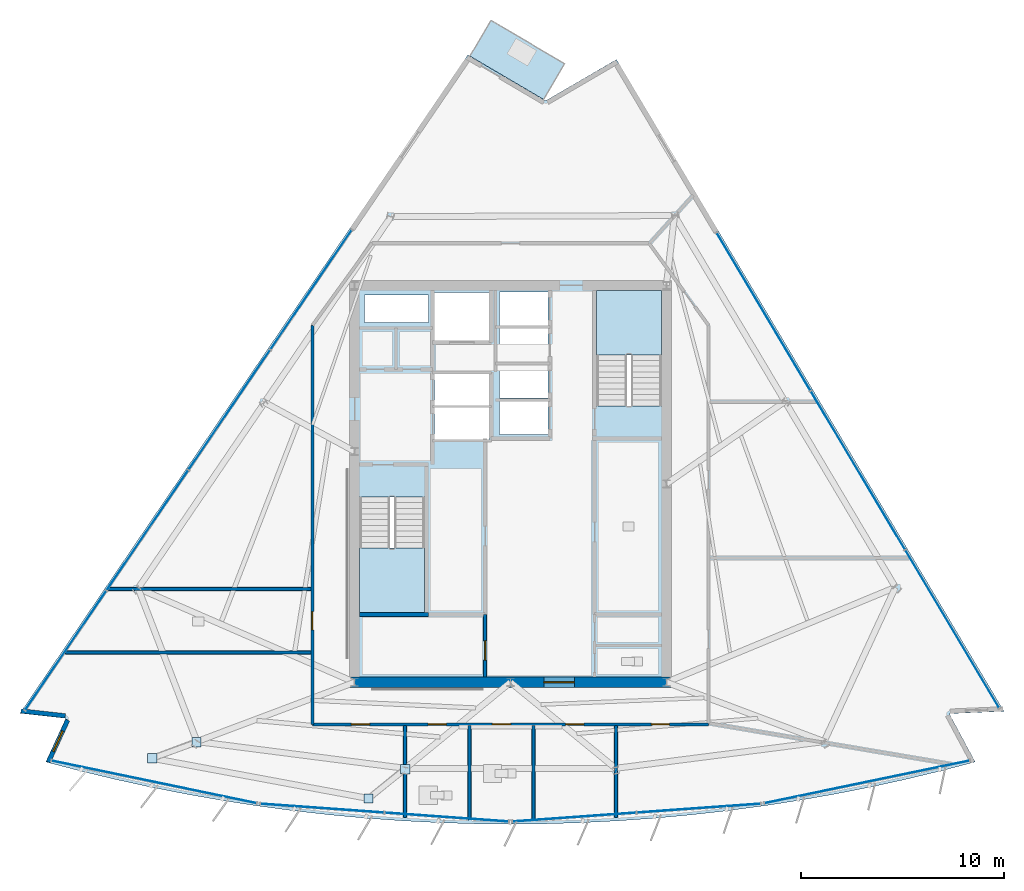
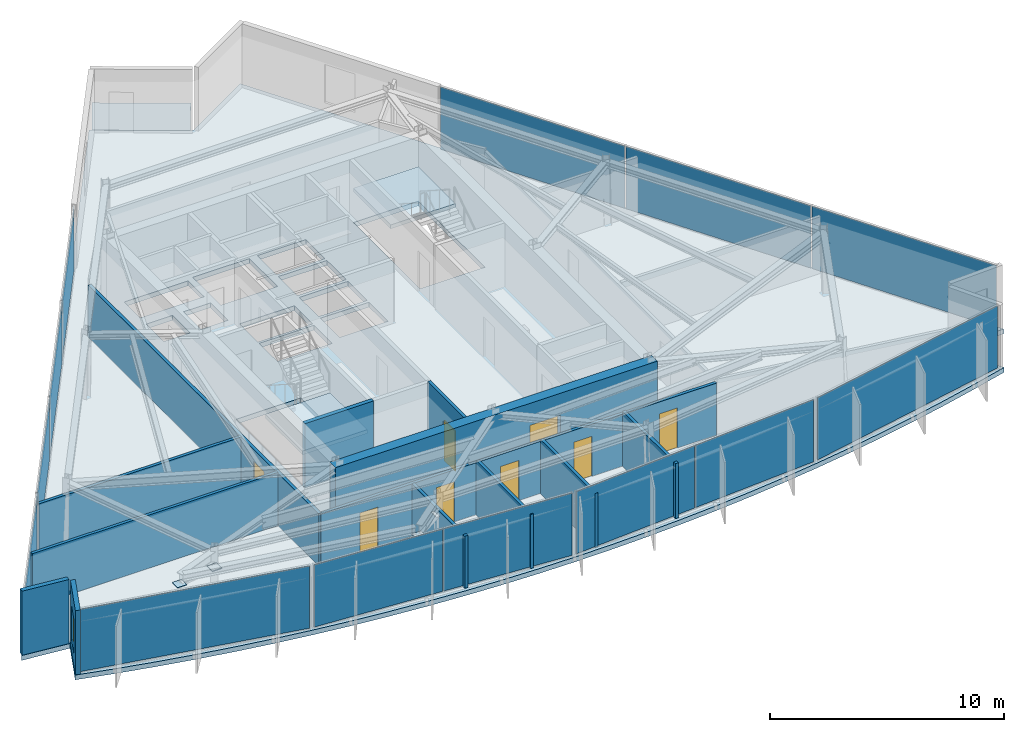
# One storey, part 6 of 12: 17 plates, 13 walls, 8 doors, 4 slabs, 1 window, 9 openings, 8 elements without a shape of their own.
"""IFC4 building model written with IfcOpenShell, lengths in metres."""

from ifc_helpers import new_model, si_unit, direction, frame, frame_2d, origin, origin_2d, place, context, subcontext, project, spatial, polyline, rectangle, outline, extrude, material, layer, layer_set, type_object, element, fill, aggregate, save


model = new_model("IFC4")

# Units and contexts
model_context = context("Model", 3, precision=1e-05, world=origin(), true_north=direction((0.0, 1.0)))
body_context = subcontext(model_context, "Body", "Model", "MODEL_VIEW")
ifc_project = project(units=[si_unit("LENGTHUNIT", "METRE"), si_unit("AREAUNIT", "SQUARE_METRE"), si_unit("VOLUMEUNIT", "CUBIC_METRE"), si_unit("PLANEANGLEUNIT", "RADIAN"), si_unit("MASSUNIT", "GRAM", prefix="KILO")], contexts=[model_context])

# Site, building, storey
site_placement = place(None, origin())
site = spatial("IfcSite", under=ifc_project, at=site_placement, CompositionType="ELEMENT")
building_placement = place(site_placement, origin())
building = spatial("IfcBuilding", under=site, at=building_placement, Name="Savorim Split Tower", CompositionType="ELEMENT")
storey_placement = place(building_placement, frame((0.0, 0.0, 268.800048828125)))
storey = spatial("IfcBuildingStorey", under=building, at=storey_placement, Name="L71", CompositionType="ELEMENT", Elevation=268.800048828125)

# Curtain wall, plate
ifc_material_1 = material(Name="Dark Ceramic-Fritted Insulated Glass", Category="glass")
curtain_wall_type = type_object("IfcCurtainWallType", Name="CW-TWR-FRIT-B", PredefinedType="NOTDEFINED", material=ifc_material_1)
curtain_wall_1_placement = place(storey_placement, origin())
curtain_wall_1 = element("IfcCurtainWall", 1, at=curtain_wall_1_placement, inside=storey, type_object=curtain_wall_type, Name="L71 Curtain Wall CW-L71-SF1", PredefinedType="NOTDEFINED")
ifc_layer_1 = layer(ifc_material_1, 0.02587890625)
ifc_layer_set_1 = layer_set([ifc_layer_1], Name="CWP-FRITB-26")
plate_type_1 = type_object("IfcPlateType", Name="CWP-FRITB-26", PredefinedType="CURTAIN_PANEL", material=ifc_layer_set_1)
plate_1_placement = place(storey_placement, frame((-17.60107421875, -14.31982421875, 0.050048828125), z_axis=(0.0, 0.0, 1.0), x_axis=(0.979135673129, -0.20320761208, 0.0)))
plate_1 = element("IfcPlate", 2, at=plate_1_placement, type_object=plate_type_1, Name="CW-03 panel 1.1", PredefinedType="CURTAIN_PANEL", context=body_context, shape_type="SweptSolid", body=[
    extrude(rectangle(XDim=10.310302734375, YDim=0.02587890625, at=origin_2d()), origin(), (0.0, 0.0, 1.0), 3.25),
])
aggregate(curtain_wall_1, [plate_1])

# Curtain wall, plates
curtain_wall_2_placement = place(storey_placement, origin())
curtain_wall_2 = element("IfcCurtainWall", 3, at=curtain_wall_2_placement, inside=storey, type_object=curtain_wall_type, Name="L71 Curtain Wall CW-L71-SF2", PredefinedType="NOTDEFINED")
plate_2_placement = place(storey_placement, frame((-9.291748046875, -15.6162109375, 0.050048828125), z_axis=(0.0, 0.0, 1.0), x_axis=(0.997436125678, -0.071562386711, 0.0)))
plate_2 = element("IfcPlate", 4, at=plate_2_placement, type_object=plate_type_1, Name="CW-03 panel 1.1", PredefinedType="CURTAIN_PANEL", context=body_context, shape_type="SweptSolid", body=[
    extrude(rectangle(XDim=6.09619140625, YDim=0.02587890625, at=origin_2d()), origin(), (0.0, 0.0, 1.0), 3.25),
])
plate_3_placement = place(storey_placement, frame((-3.1513671875, -16.056884765625, 0.050048828125), z_axis=(0.0, 0.0, 1.0), x_axis=(0.997436125678, -0.071562386711, 0.0)))
plate_3 = element("IfcPlate", 5, at=plate_3_placement, type_object=plate_type_1, Name="CW-03 panel 2.1", PredefinedType="CURTAIN_PANEL", context=body_context, shape_type="SweptSolid", body=[
    extrude(rectangle(XDim=6.09619140625, YDim=0.02587890625, at=origin_2d()), origin(), (0.0, 0.0, 1.0), 3.25),
])
aggregate(curtain_wall_2, [plate_2, plate_3])

curtain_wall_3_placement = place(storey_placement, origin())
curtain_wall_3 = element("IfcCurtainWall", 6, at=curtain_wall_3_placement, inside=storey, type_object=curtain_wall_type, Name="L71 Curtain Wall CW-L71-SF3", PredefinedType="NOTDEFINED")
plate_4_placement = place(storey_placement, frame((3.1513671875, -16.056884765625, 0.050048828125), z_axis=(0.0, 0.0, 1.0), x_axis=(0.997436125678, 0.071562386711, 0.0)))
plate_4 = element("IfcPlate", 7, at=plate_4_placement, type_object=plate_type_1, Name="CW-03 panel 1.1", PredefinedType="CURTAIN_PANEL", context=body_context, shape_type="SweptSolid", body=[
    extrude(rectangle(XDim=6.09619140625, YDim=0.02587890625, at=origin_2d()), origin(), (0.0, 0.0, 1.0), 3.25),
])
plate_5_placement = place(storey_placement, frame((9.291748046875, -15.6162109375, 0.050048828125), z_axis=(0.0, 0.0, 1.0), x_axis=(0.997436125678, 0.071562386711, 0.0)))
plate_5 = element("IfcPlate", 8, at=plate_5_placement, type_object=plate_type_1, Name="CW-03 panel 2.1", PredefinedType="CURTAIN_PANEL", context=body_context, shape_type="SweptSolid", body=[
    extrude(rectangle(XDim=6.09619140625, YDim=0.02587890625, at=origin_2d()), origin(), (0.0, 0.0, 1.0), 3.25),
])
aggregate(curtain_wall_3, [plate_4, plate_5])

# Curtain wall, plate
curtain_wall_4_placement = place(storey_placement, origin())
curtain_wall_4 = element("IfcCurtainWall", 9, at=curtain_wall_4_placement, inside=storey, type_object=curtain_wall_type, Name="L71 Curtain Wall CW-L71-SF4", PredefinedType="NOTDEFINED")
plate_6_placement = place(storey_placement, frame((17.60107421875, -14.31982421875, 0.050048828125), z_axis=(0.0, 0.0, 1.0), x_axis=(0.979135673129, 0.20320761208, 0.0)))
plate_6 = element("IfcPlate", 10, at=plate_6_placement, type_object=plate_type_1, Name="CW-03 panel 1.1", PredefinedType="CURTAIN_PANEL", context=body_context, shape_type="SweptSolid", body=[
    extrude(rectangle(XDim=10.310302734375, YDim=0.02587890625, at=origin_2d()), origin(), (0.0, 0.0, 1.0), 3.25),
])
aggregate(curtain_wall_4, [plate_6])

# Curtain wall, plates
curtain_wall_5_placement = place(storey_placement, origin())
curtain_wall_5 = element("IfcCurtainWall", 11, at=curtain_wall_5_placement, inside=storey, type_object=curtain_wall_type, Name="L71 Curtain Wall CW-L71-EAST", PredefinedType="NOTDEFINED")
plate_7_placement = place(storey_placement, frame((21.8134765625, -6.76904296875, 0.050048828125), z_axis=(0.0, 0.0, 1.0), x_axis=(-0.511090267573, 0.859527043432, 0.0)))
plate_7 = element("IfcPlate", 12, at=plate_7_placement, type_object=plate_type_1, Name="CW-03 panel 1.1", PredefinedType="CURTAIN_PANEL", context=body_context, shape_type="SweptSolid", body=[
    extrude(rectangle(XDim=9.0380859375, YDim=0.02587890625, at=origin_2d()), origin(), (0.0, 0.0, 1.0), 3.25),
])
plate_8_placement = place(storey_placement, frame((17.15576171875, 1.064208984375, 0.050048828125), z_axis=(0.0, 0.0, 1.0), x_axis=(-0.511090267573, 0.859527043432, 0.0)))
plate_8 = element("IfcPlate", 13, at=plate_8_placement, type_object=plate_type_1, Name="CW-03 panel 2.1", PredefinedType="CURTAIN_PANEL", context=body_context, shape_type="SweptSolid", body=[
    extrude(rectangle(XDim=9.068115234375, YDim=0.02587890625, at=origin_2d()), origin(), (0.0, 0.0, 1.0), 3.25),
])
plate_9_placement = place(storey_placement, frame((12.498046875, 8.897216796875, 0.050048828125), z_axis=(0.0, 0.0, 1.0), x_axis=(-0.511090267573, 0.859527043432, 0.0)))
plate_9 = element("IfcPlate", 14, at=plate_9_placement, type_object=plate_type_1, Name="CW-03 panel 3.1", PredefinedType="CURTAIN_PANEL", context=body_context, shape_type="SweptSolid", body=[
    extrude(rectangle(XDim=9.0380859375, YDim=0.02587890625, at=origin_2d()), origin(), (0.0, 0.0, 1.0), 3.25),
])
aggregate(curtain_wall_5, [plate_7, plate_8, plate_9])

curtain_wall_6_placement = place(storey_placement, origin())
curtain_wall_6 = element("IfcCurtainWall", 15, at=curtain_wall_6_placement, inside=storey, type_object=curtain_wall_type, Name="L71 Curtain Wall CW-L71-WEST", PredefinedType="NOTDEFINED")
plate_10_placement = place(storey_placement, frame((-9.847900390625, 9.9853515625, 0.050048828125), z_axis=(0.0, 0.0, 1.0), x_axis=(-0.562470325215, -0.826817472755, 0.0)))
plate_10 = element("IfcPlate", 16, at=plate_10_placement, type_object=plate_type_1, Name="CW-03 panel 1.1", PredefinedType="CURTAIN_PANEL", context=body_context, shape_type="SweptSolid", body=[
    extrude(rectangle(XDim=7.1015625, YDim=0.02587890625, at=origin_2d()), origin(), (0.0, 0.0, 1.0), 3.25),
])
plate_11_placement = place(storey_placement, frame((-13.884521484375, 4.0517578125, 0.050048828125), z_axis=(0.0, 0.0, 1.0), x_axis=(-0.562470325215, -0.826817472755, 0.0)))
plate_11 = element("IfcPlate", 17, at=plate_11_placement, type_object=plate_type_1, Name="CW-03 panel 2.1", PredefinedType="CURTAIN_PANEL", context=body_context, shape_type="SweptSolid", body=[
    extrude(rectangle(XDim=7.131591796875, YDim=0.02587890625, at=origin_2d()), origin(), (0.0, 0.0, 1.0), 3.25),
])
plate_12_placement = place(storey_placement, frame((-17.929443359375, -1.894287109375, 0.050048828125), z_axis=(0.0, 0.0, 1.0), x_axis=(-0.562470325215, -0.826817472755, 0.0)))
plate_12 = element("IfcPlate", 18, at=plate_12_placement, type_object=plate_type_1, Name="CW-03 panel 3.1", PredefinedType="CURTAIN_PANEL", context=body_context, shape_type="SweptSolid", body=[
    extrude(rectangle(XDim=7.131591796875, YDim=0.02587890625, at=origin_2d()), origin(), (0.0, 0.0, 1.0), 3.25),
])
plate_13_placement = place(storey_placement, frame((-21.966064453125, -7.827880859375, 0.050048828125), z_axis=(0.0, 0.0, 1.0), x_axis=(-0.562470325215, -0.826817472755, 0.0)))
plate_13 = element("IfcPlate", 19, at=plate_13_placement, type_object=plate_type_1, Name="CW-03 panel 4.1", PredefinedType="CURTAIN_PANEL", context=body_context, shape_type="SweptSolid", body=[
    extrude(rectangle(XDim=7.1015625, YDim=0.02587890625, at=origin_2d()), origin(), (0.0, 0.0, 1.0), 3.25),
])
aggregate(curtain_wall_6, [plate_10, plate_11, plate_12, plate_13])

# Plates
ifc_material_2 = material(Name="Steel S460", Category="steel")
ifc_layer_2 = layer(ifc_material_2, 0.02490234375)
ifc_layer_set_2 = layer_set([ifc_layer_2], Name="PLT-NODE-CN1")
plate_type_2 = type_object("IfcPlateType", Name="PLT-NODE-CN1", PredefinedType="SHEET", material=ifc_layer_set_2)
for number, where, z_axis, x_axis, name in (
    (20, (-15.507080078125, -12.365234375, 2.4375), (0.0, 0.0, 1.0), (1.0, 0.0, 0.0), "L71 Bay Strut Column Gusset Plate 1"),
    (21, (-17.68310546875, -13.15380859375, 2.8076171875), (0.0, 0.0, 1.0), (1.0, 0.0, 0.0), "L71 Bay Strut Tip Gusset Plate 1"),
    (22, (-5.197265625, -13.68896484375, 2.4375), (0.0, 0.0, 1.0), (1.0, 0.0, 0.0), "L71 Bay Strut Column Gusset Plate 2"),
    (23, (-7.007568359375, -15.13720703125, 2.8076171875), (0.0, 0.0, 1.0), (1.0, 0.0, 0.0), "L71 Bay Strut Tip Gusset Plate 2"),
):
    element("IfcPlate", number, at=place(storey_placement, frame(where, z_axis=z_axis, x_axis=x_axis)), inside=storey, type_object=plate_type_2, Name=name, PredefinedType="SHEET", context=body_context, shape_type="SweptSolid", body=[
        extrude(rectangle(XDim=0.4599609375, YDim=0.4599609375, at=origin_2d()), origin(), (0.0, 0.0, 1.0), 0.02490234375),
    ])

# Slab
ifc_material_3 = material(Name="Concrete C50/60", Category="concrete")
ifc_layer_3 = layer(ifc_material_3, 0.219970703125)
ifc_layer_set_3 = layer_set([ifc_layer_3], Name="SLB-BAL-220")
slab_type_1 = type_object("IfcSlabType", Name="SLB-BAL-220", PredefinedType="FLOOR", material=ifc_layer_set_3)
slab_1_placement = place(storey_placement, frame((0.0, 0.0, -0.219970703125)))
element("IfcSlab", 24, at=slab_1_placement, inside=storey, type_object=slab_type_1, Name="L71 Notched Corner Planted Tree Balcony Slab", PredefinedType="FLOOR", context=body_context, shape_type="SweptSolid", body=[
    extrude(outline(polyline([(-2.001708984375, 21.5205078125), (1.63623046875, 19.38232421875), (2.67236328125, 21.1455078125), (-0.96533203125, 23.283447265625), (-2.001708984375, 21.5205078125)])), origin(), (0.0, 0.0, 1.0), 0.219970703125),
])

# Stair, slab
stair_type = type_object("IfcStairType", Name="STR-DOG-3600", PredefinedType="HALF_TURN_STAIR", material=ifc_material_3)
stair_1_placement = place(storey_placement, origin())
stair_1 = element("IfcStair", 25, at=stair_1_placement, inside=storey, type_object=stair_type, Name="L71 Core Protected Exit Stair ST-1", PredefinedType="HALF_TURN_STAIR")
ifc_layer_4 = layer(ifc_material_3, 0.199951171875)
ifc_layer_set_4 = layer_set([ifc_layer_4], Name="SLB-LND-200")
slab_type_2 = type_object("IfcSlabType", Name="SLB-LND-200", PredefinedType="LANDING", material=ifc_layer_set_4)
slab_2_placement = place(storey_placement, frame((0.0, 0.0, 1.599853515625)))
slab_2 = element("IfcSlab", 26, at=slab_2_placement, type_object=slab_type_2, Name="ST-1 landing 1", PredefinedType="LANDING", context=body_context, shape_type="SweptSolid", body=[
    extrude(outline(polyline([(-7.449951171875, -2.77001953125), (-7.449951171875, -5.949951171875), (-4.25, -5.949951171875), (-4.25, -2.77001953125), (-7.449951171875, -2.77001953125)])), origin(), (0.0, 0.0, 1.0), 0.2001953125),
])
aggregate(stair_1, [slab_2])

stair_2_placement = place(storey_placement, origin())
stair_2 = element("IfcStair", 27, at=stair_2_placement, inside=storey, type_object=stair_type, Name="L71 Core Protected Exit Stair ST-2", PredefinedType="HALF_TURN_STAIR")
slab_3_placement = place(storey_placement, frame((0.0, 0.0, 1.599853515625)))
slab_3 = element("IfcSlab", 28, at=slab_3_placement, type_object=slab_type_2, Name="ST-2 landing 1", PredefinedType="LANDING", context=body_context, shape_type="SweptSolid", body=[
    extrude(outline(polyline([(7.449951171875, 6.77001953125), (7.449951171875, 9.949951171875), (4.25, 9.949951171875), (4.25, 6.77001953125), (7.449951171875, 6.77001953125)])), origin(), (0.0, 0.0, 1.0), 0.2001953125),
])
aggregate(stair_2, [slab_3])

# Slab
ifc_layer_5 = layer(ifc_material_3, 0.25)
ifc_layer_set_5 = layer_set([ifc_layer_5], Name="SLB-TWR-250")
slab_type_3 = type_object("IfcSlabType", Name="SLB-TWR-250", PredefinedType="FLOOR", material=ifc_layer_set_5)
slab_4_placement = place(storey_placement, frame((0.0, 0.0, -0.25)))
element("IfcSlab", 29, at=slab_4_placement, inside=storey, type_object=slab_type_3, Name="L71 Structural Floor Slab", PredefinedType="FLOOR", context=body_context, shape_type="SweptSolid", body=[
    extrude(outline(polyline([(-22.947265625, -13.332763671875), (-21.21923828125, -13.78466796875), (-19.482421875, -14.201171875), (-17.7373046875, -14.58203125), (-15.984619140625, -14.927001953125), (-14.2255859375, -15.236083984375), (-12.46044921875, -15.50927734375), (-10.690185546875, -15.74609375), (-8.915283203125, -15.94677734375), (-7.13671875, -16.111083984375), (-5.35498046875, -16.23876953125), (-3.5712890625, -16.330078125), (-1.785888671875, -16.385009765625), (0.0, -16.4033203125), (1.785888671875, -16.385009765625), (3.5712890625, -16.330078125), (5.35498046875, -16.23876953125), (7.13671875, -16.111083984375), (8.915283203125, -15.94677734375), (10.690185546875, -15.74609375), (12.46044921875, -15.50927734375), (14.2255859375, -15.236083984375), (15.984619140625, -14.927001953125), (17.7373046875, -14.58203125), (19.482421875, -14.201171875), (21.21923828125, -13.78466796875), (22.947265625, -13.332763671875), (21.667236328125, -10.947509765625), (24.369384765625, -10.83251953125), (5.23095703125, 21.353515625), (1.7373046875, 19.317138671875), (-2.107666015625, 21.576904296875), (-24.219970703125, -10.927734375), (-21.958251953125, -11.180419921875), (-22.947265625, -13.332763671875)]), holes=[polyline([(-7.449951171875, -0.25390625), (-7.449951171875, -5.949951171875), (-4.25, -5.949951171875), (-4.25, -0.25390625), (-7.449951171875, -0.25390625)]), polyline([(7.449951171875, 4.25390625), (7.449951171875, 9.949951171875), (4.25, 9.949951171875), (4.25, 4.25390625), (7.449951171875, 4.25390625)]), polyline([(-0.550048828125, 2.830078125), (1.85009765625, 2.830078125), (1.85009765625, 4.469970703125), (-0.550048828125, 4.469970703125), (-0.550048828125, 2.830078125)]), polyline([(-0.550048828125, 4.6298828125), (1.85009765625, 4.6298828125), (1.85009765625, 6.27001953125), (-0.550048828125, 6.27001953125), (-0.550048828125, 4.6298828125)]), polyline([(-0.550048828125, 6.429931640625), (1.85009765625, 6.429931640625), (1.85009765625, 8.070068359375), (-0.550048828125, 8.070068359375), (-0.550048828125, 6.429931640625)]), polyline([(-0.550048828125, 8.22998046875), (1.85009765625, 8.22998046875), (1.85009765625, 9.8701171875), (-0.550048828125, 9.8701171875), (-0.550048828125, 8.22998046875)]), polyline([(-3.75, 2.60009765625), (-1.050048828125, 2.60009765625), (-1.050048828125, 4.159912109375), (-3.75, 4.159912109375), (-3.75, 2.60009765625)]), polyline([(-3.75, 4.280029296875), (-1.050048828125, 4.280029296875), (-1.050048828125, 5.840087890625), (-3.75, 5.840087890625), (-3.75, 4.280029296875)]), polyline([(-3.75, 7.449951171875), (-0.949951171875, 7.449951171875), (-0.949951171875, 9.85009765625), (-3.75, 9.85009765625), (-3.75, 7.449951171875)]), polyline([(-7.219970703125, 6.320068359375), (-5.919921875, 6.320068359375), (-5.919921875, 7.820068359375), (-7.219970703125, 7.820068359375), (-7.219970703125, 6.320068359375)]), polyline([(-5.3798828125, 6.320068359375), (-4.050048828125, 6.320068359375), (-4.050048828125, 7.820068359375), (-5.3798828125, 7.820068359375), (-5.3798828125, 6.320068359375)]), polyline([(-7.219970703125, 8.360107421875), (-4.050048828125, 8.360107421875), (-4.050048828125, 9.719970703125), (-7.219970703125, 9.719970703125), (-7.219970703125, 8.360107421875)])]), origin(), (0.0, 0.0, 1.0), 0.25),
])

# Wall, opening, door
ifc_material_4 = material(Name="Concrete C60/75", Category="concrete")
ifc_layer_6 = layer(ifc_material_4, 0.5)
ifc_layer_set_6 = layer_set([ifc_layer_6], Name="WAL-COR-SH500")
wall_type_1 = type_object("IfcWallType", Name="WAL-COR-SH500", PredefinedType="SHEAR", material=ifc_layer_set_6)
wall_1_placement = place(storey_placement, frame((-7.949951171875, -9.39990234375, 0.0), z_axis=(0.0, 0.0, 1.0), x_axis=(1.0, 0.0, 0.0)))
wall_1 = element("IfcWall", 30, at=wall_1_placement, inside=storey, type_object=wall_type_1, Name="L71 Offset Core South Shear Wall", PredefinedType="SHEAR", context=body_context, shape_type="SweptSolid", body=[
    extrude(rectangle(XDim=15.89990234375, YDim=0.5, at=frame_2d((7.949951171875, 0.0))), origin(), (0.0, 0.0, 1.0), 3.349853515625),
])
opening_1_placement = place(wall_1_placement, frame((9.60009765625, 0.0, 0.0)))
opening_1 = element("IfcOpeningElement", 31, at=opening_1_placement, cuts=wall_1, Name="Opening DI-02", PredefinedType="OPENING", context=body_context, shape_type="SweptSolid", body=[
    extrude(rectangle(XDim=1.5, YDim=2.199951171875, at=frame_2d((0.75, 1.10009765625))), frame((0.0, 0.260009765625, 0.0), z_axis=(0.0, -1.0, 0.0), x_axis=(1.0, 0.0, 0.0)), (0.0, 0.0, 1.0), 0.52001953125),
])
ifc_material_5 = material(Name="Timber Fire Door Leaf", Category="wood")
door_type_1 = type_object("IfcDoorType", Name="DOR-DBL-1500", OperationType="NOTDEFINED", PredefinedType="DOOR", material=ifc_material_5)
door_1_placement = place(opening_1_placement, origin())
door_1 = element("IfcDoor", 32, at=door_1_placement, inside=storey, type_object=door_type_1, Name="DOR-L71-COR-LLOB - L71 Lift Lobby Main Rated Door", OperationType="DOUBLE_DOOR_SINGLE_SWING", OverallHeight=2.199951171875, OverallWidth=1.5, PredefinedType="DOOR", context=body_context, shape_type="SweptSolid", body=[
    extrude(rectangle(XDim=1.5, YDim=2.199951171875, at=frame_2d((0.75, 1.10009765625))), frame((0.0, 0.02490234375, 0.0), z_axis=(0.0, -1.0, 0.0), x_axis=(1.0, 0.0, 0.0)), (0.0, 0.0, 1.0), 0.050048828125),
])
fill(opening_1, door_1)

# Wall
ifc_material_6 = material(Name="Precast concrete C40/50", Category="concrete")
ifc_layer_7 = layer(ifc_material_6, 0.219970703125)
ifc_layer_set_7 = layer_set([ifc_layer_7], Name="WAL-EXT-CRN220")
wall_type_2 = type_object("IfcWallType", Name="WAL-EXT-CRN220", PredefinedType="SOLIDWALL", material=ifc_layer_set_7)
wall_2_placement = place(storey_placement, frame((-21.984619140625, -11.056640625, 0.0), z_axis=(0.0, 0.0, 1.0), x_axis=(-0.993823926228, 0.110968480463, 0.0)))
element("IfcWall", 33, at=wall_2_placement, inside=storey, type_object=wall_type_2, Name="L71 Notched Corner Facade Wall SW1", PredefinedType="SOLIDWALL", context=body_context, shape_type="SweptSolid", body=[
    extrude(rectangle(XDim=2.19580078125, YDim=0.219970703125, at=frame_2d((1.097900390625, 0.0))), origin(), (0.0, 0.0, 1.0), 3.349853515625),
])

# Wall, opening, window
wall_3_placement = place(storey_placement, frame((-22.821533203125, -13.3466796875, 0.0), z_axis=(0.0, 0.0, 1.0), x_axis=(0.417447808253, 0.908700900949, 0.0)))
wall_3 = element("IfcWall", 34, at=wall_3_placement, inside=storey, type_object=wall_type_2, Name="L71 Notched Corner Facade Wall SW", PredefinedType="SOLIDWALL", context=body_context, shape_type="SweptSolid", body=[
    extrude(rectangle(XDim=2.2890625, YDim=0.219970703125, at=frame_2d((1.14453125, 0.0))), origin(), (0.0, 0.0, 1.0), 3.349853515625),
])
opening_2_placement = place(wall_3_placement, frame((0.594482421875, 0.0, 0.6201171875)))
opening_2 = element("IfcOpeningElement", 35, at=opening_2_placement, cuts=wall_3, Name="Opening WN-09", PredefinedType="OPENING", context=body_context, shape_type="SweptSolid", body=[
    extrude(rectangle(XDim=1.10009765625, YDim=1.800048828125, at=frame_2d((0.550048828125, 0.89990234375))), frame((0.0, 0.119873046875, 0.0), z_axis=(0.0, -1.0, 0.0), x_axis=(1.0, 0.0, 0.0)), (0.0, 0.0, 1.0), 0.239990234375),
])
ifc_material_7 = material(Name="Low-E Operable Double Glazing", Category="glass")
window_type = type_object("IfcWindowType", Name="WIN-TWR-1100x1800", PartitioningType="SINGLE_PANEL", PredefinedType="WINDOW", material=ifc_material_7)
window_placement = place(opening_2_placement, origin())
window = element("IfcWindow", 36, at=window_placement, inside=storey, type_object=window_type, Name="L71 Operable Corner Window SW", OverallHeight=1.800048828125, OverallWidth=1.10009765625, PartitioningType="SINGLE_PANEL", PredefinedType="WINDOW", context=body_context, shape_type="SweptSolid", body=[
    extrude(rectangle(XDim=1.10009765625, YDim=1.800048828125, at=frame_2d((0.550048828125, 0.89990234375))), frame((0.0, 0.030029296875, 0.0), z_axis=(0.0, -1.0, 0.0), x_axis=(1.0, 0.0, 0.0)), (0.0, 0.0, 1.0), 0.06005859375),
])
fill(opening_2, window)

# Wall
ifc_layer_8 = layer(ifc_material_3, 0.199951171875)
ifc_layer_set_8 = layer_set([ifc_layer_8], Name="WAL-INT-RC200")
wall_type_3 = type_object("IfcWallType", Name="WAL-INT-RC200", PredefinedType="SOLIDWALL", material=ifc_layer_set_8)
wall_4_placement = place(storey_placement, frame((-7.449951171875, -6.050048828125, 0.0), z_axis=(0.0, 0.0, 1.0), x_axis=(1.0, 0.0, 0.0)))
element("IfcWall", 37, at=wall_4_placement, inside=storey, type_object=wall_type_3, Name="L71 Structural Shaft Wall W-L71-KSEP-W", PredefinedType="SOLIDWALL", context=body_context, shape_type="SweptSolid", body=[
    extrude(rectangle(XDim=3.39990234375, YDim=0.199951171875, at=frame_2d((1.699951171875, 0.0))), origin(), (0.0, 0.0, 1.0), 3.349853515625),
])

# Wall, opening, door
ifc_material_8 = material(Name="Acoustic Gypsum Partition Board")
ifc_layer_9 = layer(ifc_material_8, 0.14990234375)
ifc_layer_set_9 = layer_set([ifc_layer_9], Name="WAL-PAR-150")
wall_type_4 = type_object("IfcWallType", Name="WAL-PAR-150", PredefinedType="PARTITIONING", material=ifc_layer_set_9)
wall_5_placement = place(storey_placement, frame((-1.25, -9.14501953125, 0.0), z_axis=(0.0, 0.0, 1.0), x_axis=(0.0, 1.0, 0.0)))
wall_5 = element("IfcWall", 38, at=wall_5_placement, inside=storey, type_object=wall_type_4, Name="L71 Partition W-L71-KLOB-W", PredefinedType="PARTITIONING", context=body_context, shape_type="SweptSolid", body=[
    extrude(rectangle(XDim=3.094970703125, YDim=0.14990234375, at=frame_2d((1.54736328125, 0.0))), origin(), (0.0, 0.0, 1.0), 3.349853515625),
])
opening_3_placement = place(wall_5_placement, frame((0.844970703125, 0.0, 0.0)))
opening_3 = element("IfcOpeningElement", 39, at=opening_3_placement, cuts=wall_5, Name="Opening DI-05", PredefinedType="OPENING", context=body_context, shape_type="SweptSolid", body=[
    extrude(rectangle(XDim=0.949951171875, YDim=2.10009765625, at=frame_2d((0.47509765625, 1.050048828125))), frame((0.0, 0.0849609375, 0.0), z_axis=(0.0, -1.0, 0.0), x_axis=(1.0, 0.0, 0.0)), (0.0, 0.0, 1.0), 0.169921875),
])
door_type_2 = type_object("IfcDoorType", Name="DOR-FIR-950", OperationType="NOTDEFINED", PredefinedType="DOOR", material=ifc_material_5)
door_2_placement = place(opening_3_placement, origin())
door_2 = element("IfcDoor", 40, at=door_2_placement, inside=storey, type_object=door_type_2, Name="DR-L71-K3LIN - L71 Housekeeping Store Door", OperationType="SINGLE_SWING_LEFT", OverallHeight=2.10009765625, OverallWidth=0.949951171875, PredefinedType="DOOR", context=body_context, shape_type="SweptSolid", body=[
    extrude(rectangle(XDim=0.949951171875, YDim=2.10009765625, at=frame_2d((0.47509765625, 1.050048828125))), frame((0.0, 0.02490234375, 0.0), z_axis=(0.0, -1.0, 0.0), x_axis=(1.0, 0.0, 0.0)), (0.0, 0.0, 1.0), 0.050048828125),
])
fill(opening_3, door_2)

wall_6_placement = place(storey_placement, frame((-9.780029296875, -11.47998046875, 0.0), z_axis=(0.0, 0.0, 1.0), x_axis=(0.0, 1.0, 0.0)))
wall_6 = element("IfcWall", 41, at=wall_6_placement, inside=storey, type_object=wall_type_4, Name="L71 Partition W-L71-COR-01", PredefinedType="PARTITIONING", context=body_context, shape_type="SweptSolid", body=[
    extrude(rectangle(XDim=19.705810546875, YDim=0.14990234375, at=frame_2d((9.85302734375, 0.0))), origin(), (0.0, 0.0, 1.0), 2.724853515625),
])
opening_4_placement = place(wall_6_placement, frame((4.66552734375, 0.0, 0.0)))
opening_4 = element("IfcOpeningElement", 42, at=opening_4_placement, cuts=wall_6, Name="Opening DI-06", PredefinedType="OPENING", context=body_context, shape_type="SweptSolid", body=[
    extrude(rectangle(XDim=0.89990234375, YDim=2.10009765625, at=frame_2d((0.449951171875, 1.050048828125))), frame((0.0, 0.0849609375, 0.0), z_axis=(0.0, -1.0, 0.0), x_axis=(1.0, 0.0, 0.0)), (0.0, 0.0, 1.0), 0.169921875),
])
door_type_3 = type_object("IfcDoorType", Name="DOR-FIR-900", OperationType="NOTDEFINED", PredefinedType="DOOR", material=ifc_material_5)
door_3_placement = place(opening_4_placement, origin())
door_3 = element("IfcDoor", 43, at=door_3_placement, inside=storey, type_object=door_type_3, Name="DR-L71-RM01 - L71 Shared Kitchen Entry Door", OperationType="SINGLE_SWING_RIGHT", OverallHeight=2.10009765625, OverallWidth=0.89990234375, PredefinedType="DOOR", context=body_context, shape_type="SweptSolid", body=[
    extrude(rectangle(XDim=0.89990234375, YDim=2.10009765625, at=frame_2d((0.449951171875, 1.050048828125))), frame((0.0, 0.02490234375, 0.0), z_axis=(0.0, -1.0, 0.0), x_axis=(1.0, 0.0, 0.0)), (0.0, 0.0, 1.0), 0.050048828125),
])
fill(opening_4, door_3)

# Wall, openings, doors
wall_7_placement = place(storey_placement, frame((9.780029296875, -11.47998046875, 0.0), z_axis=(0.0, 0.0, 1.0), x_axis=(-1.0, 0.0, 0.0)))
wall_7 = element("IfcWall", 44, at=wall_7_placement, inside=storey, type_object=wall_type_4, Name="L71 Partition W-L71-COR-06", PredefinedType="PARTITIONING", context=body_context, shape_type="SweptSolid", body=[
    extrude(rectangle(XDim=19.56005859375, YDim=0.14990234375, at=frame_2d((9.780029296875, 0.0))), origin(), (0.0, 0.0, 1.0), 2.724853515625),
])
opening_5_placement = place(wall_7_placement, frame((16.731689453125, 0.0, 0.0)))
opening_5 = element("IfcOpeningElement", 45, at=opening_5_placement, cuts=wall_7, Name="Opening DI-06", PredefinedType="OPENING", context=body_context, shape_type="SweptSolid", body=[
    extrude(rectangle(XDim=0.89990234375, YDim=2.10009765625, at=frame_2d((0.449951171875, 1.050048828125))), frame((0.0, 0.0849609375, 0.0), z_axis=(0.0, -1.0, 0.0), x_axis=(1.0, 0.0, 0.0)), (0.0, 0.0, 1.0), 0.169921875),
])
opening_6_placement = place(wall_7_placement, frame((12.94580078125, 0.0, 0.0)))
opening_6 = element("IfcOpeningElement", 46, at=opening_6_placement, cuts=wall_7, Name="Opening DI-11", PredefinedType="OPENING", context=body_context, shape_type="SweptSolid", body=[
    extrude(rectangle(XDim=0.89990234375, YDim=2.10009765625, at=frame_2d((0.449951171875, 1.050048828125))), frame((0.0, 0.0849609375, 0.0), z_axis=(0.0, -1.0, 0.0), x_axis=(1.0, 0.0, 0.0)), (0.0, 0.0, 1.0), 0.169921875),
])
opening_7_placement = place(wall_7_placement, frame((9.773681640625, 0.0, 0.0)))
opening_7 = element("IfcOpeningElement", 47, at=opening_7_placement, cuts=wall_7, Name="Opening DI-11", PredefinedType="OPENING", context=body_context, shape_type="SweptSolid", body=[
    extrude(rectangle(XDim=0.89990234375, YDim=2.10009765625, at=frame_2d((0.449951171875, 1.050048828125))), frame((0.0, 0.0849609375, 0.0), z_axis=(0.0, -1.0, 0.0), x_axis=(1.0, 0.0, 0.0)), (0.0, 0.0, 1.0), 0.169921875),
])
opening_8_placement = place(wall_7_placement, frame((6.157958984375, 0.0, 0.0)))
opening_8 = element("IfcOpeningElement", 48, at=opening_8_placement, cuts=wall_7, Name="Opening DI-06", PredefinedType="OPENING", context=body_context, shape_type="SweptSolid", body=[
    extrude(rectangle(XDim=0.89990234375, YDim=2.10009765625, at=frame_2d((0.449951171875, 1.050048828125))), frame((0.0, 0.0849609375, 0.0), z_axis=(0.0, -1.0, 0.0), x_axis=(1.0, 0.0, 0.0)), (0.0, 0.0, 1.0), 0.169921875),
])
opening_9_placement = place(wall_7_placement, frame((1.92822265625, 0.0, 0.0)))
opening_9 = element("IfcOpeningElement", 49, at=opening_9_placement, cuts=wall_7, Name="Opening DI-06", PredefinedType="OPENING", context=body_context, shape_type="SweptSolid", body=[
    extrude(rectangle(XDim=0.89990234375, YDim=2.10009765625, at=frame_2d((0.449951171875, 1.050048828125))), frame((0.0, 0.0849609375, 0.0), z_axis=(0.0, -1.0, 0.0), x_axis=(1.0, 0.0, 0.0)), (0.0, 0.0, 1.0), 0.169921875),
])
door_4_placement = place(opening_5_placement, origin())
door_4 = element("IfcDoor", 50, at=door_4_placement, inside=storey, type_object=door_type_3, Name="DR-L71-RM02 - L71 Co-Working Commons Entry Door", OperationType="SINGLE_SWING_LEFT", OverallHeight=2.10009765625, OverallWidth=0.89990234375, PredefinedType="DOOR", context=body_context, shape_type="SweptSolid", body=[
    extrude(rectangle(XDim=0.89990234375, YDim=2.10009765625, at=frame_2d((0.449951171875, 1.050048828125))), frame((0.0, 0.02490234375, 0.0), z_axis=(0.0, -1.0, 0.0), x_axis=(1.0, 0.0, 0.0)), (0.0, 0.0, 1.0), 0.050048828125),
])
fill(opening_5, door_4)
door_5_placement = place(opening_8_placement, origin())
door_5 = element("IfcDoor", 51, at=door_5_placement, inside=storey, type_object=door_type_3, Name="DR-L71-RM05 - L71 Co-Living Bedroom Entry Door", OperationType="SINGLE_SWING_RIGHT", OverallHeight=2.10009765625, OverallWidth=0.89990234375, PredefinedType="DOOR", context=body_context, shape_type="SweptSolid", body=[
    extrude(rectangle(XDim=0.89990234375, YDim=2.10009765625, at=frame_2d((0.449951171875, 1.050048828125))), frame((0.0, 0.02490234375, 0.0), z_axis=(0.0, -1.0, 0.0), x_axis=(1.0, 0.0, 0.0)), (0.0, 0.0, 1.0), 0.050048828125),
])
fill(opening_8, door_5)
door_6_placement = place(opening_9_placement, origin())
door_6 = element("IfcDoor", 52, at=door_6_placement, inside=storey, type_object=door_type_3, Name="DR-L71-RM06 - L71 Maker Workshop Entry Door", OperationType="SINGLE_SWING_LEFT", OverallHeight=2.10009765625, OverallWidth=0.89990234375, PredefinedType="DOOR", context=body_context, shape_type="SweptSolid", body=[
    extrude(rectangle(XDim=0.89990234375, YDim=2.10009765625, at=frame_2d((0.449951171875, 1.050048828125))), frame((0.0, 0.02490234375, 0.0), z_axis=(0.0, -1.0, 0.0), x_axis=(1.0, 0.0, 0.0)), (0.0, 0.0, 1.0), 0.050048828125),
])
fill(opening_9, door_6)
ifc_material_9 = material(Name="Oak Veneer Acoustic Door")
door_type_4 = type_object("IfcDoorType", Name="DOR-WC-900", OperationType="NOTDEFINED", PredefinedType="DOOR", material=ifc_material_9)
door_7_placement = place(opening_6_placement, origin())
door_7 = element("IfcDoor", 53, at=door_7_placement, inside=storey, type_object=door_type_4, Name="DR-L71-RM03 - L71 Shared Bathroom Entry Door", OperationType="SINGLE_SWING_RIGHT", OverallHeight=2.10009765625, OverallWidth=0.89990234375, PredefinedType="DOOR", context=body_context, shape_type="SweptSolid", body=[
    extrude(rectangle(XDim=0.89990234375, YDim=2.10009765625, at=frame_2d((0.449951171875, 1.050048828125))), frame((0.0, 0.02490234375, 0.0), z_axis=(0.0, -1.0, 0.0), x_axis=(1.0, 0.0, 0.0)), (0.0, 0.0, 1.0), 0.050048828125),
])
fill(opening_6, door_7)
door_8_placement = place(opening_7_placement, origin())
door_8 = element("IfcDoor", 54, at=door_8_placement, inside=storey, type_object=door_type_4, Name="DR-L71-RM04 - L71 Shared Bathroom Entry Door", OperationType="SINGLE_SWING_LEFT", OverallHeight=2.10009765625, OverallWidth=0.89990234375, PredefinedType="DOOR", context=body_context, shape_type="SweptSolid", body=[
    extrude(rectangle(XDim=0.89990234375, YDim=2.10009765625, at=frame_2d((0.449951171875, 1.050048828125))), frame((0.0, 0.02490234375, 0.0), z_axis=(0.0, -1.0, 0.0), x_axis=(1.0, 0.0, 0.0)), (0.0, 0.0, 1.0), 0.050048828125),
])
fill(opening_7, door_8)

# Walls
wall_8_placement = place(storey_placement, frame((-5.20166015625, -11.5400390625, 0.0), z_axis=(0.0, 0.0, 1.0), x_axis=(0.0, -1.0, 0.0)))
element("IfcWall", 55, at=wall_8_placement, inside=storey, type_object=wall_type_4, Name="L71 Partition W-L71-PRAD02", PredefinedType="PARTITIONING", context=body_context, shape_type="SweptSolid", body=[
    extrude(rectangle(XDim=4.536376953125, YDim=0.14990234375, at=frame_2d((2.26806640625, 0.0))), origin(), (0.0, 0.0, 1.0), 2.724853515625),
])
wall_9_placement = place(storey_placement, frame((5.20166015625, -11.5400390625, 0.0), z_axis=(0.0, 0.0, 1.0), x_axis=(0.0, -1.0, 0.0)))
element("IfcWall", 56, at=wall_9_placement, inside=storey, type_object=wall_type_4, Name="L71 Partition W-L71-PRAD03", PredefinedType="PARTITIONING", context=body_context, shape_type="SweptSolid", body=[
    extrude(rectangle(XDim=4.536376953125, YDim=0.14990234375, at=frame_2d((2.26806640625, 0.0))), origin(), (0.0, 0.0, 1.0), 2.875),
])
wall_10_placement = place(storey_placement, frame((-9.840087890625, -4.79541015625, 0.0), z_axis=(0.0, 0.0, 1.0), x_axis=(-1.0, 0.0, 0.0)))
element("IfcWall", 57, at=wall_10_placement, inside=storey, type_object=wall_type_4, Name="L71 Partition W-L71-PRAD10", PredefinedType="PARTITIONING", context=body_context, shape_type="SweptSolid", body=[
    extrude(rectangle(XDim=10.00244140625, YDim=0.14990234375, at=frame_2d((5.001220703125, 0.0))), origin(), (0.0, 0.0, 1.0), 2.724853515625),
])
wall_11_placement = place(storey_placement, frame((1.142578125, -11.5400390625, 0.0), z_axis=(0.0, 0.0, 1.0), x_axis=(0.0, -1.0, 0.0)))
element("IfcWall", 58, at=wall_11_placement, inside=storey, type_object=wall_type_4, Name="L71 Partition W-L71-SUB01", PredefinedType="PARTITIONING", context=body_context, shape_type="SweptSolid", body=[
    extrude(rectangle(XDim=4.681396484375, YDim=0.14990234375, at=frame_2d((2.3408203125, 0.0))), origin(), (0.0, 0.0, 1.0), 2.824951171875),
])
wall_12_placement = place(storey_placement, frame((-9.840087890625, -7.93359375, 0.0), z_axis=(0.0, 0.0, 1.0), x_axis=(-1.0, 0.0, 0.0)))
element("IfcWall", 59, at=wall_12_placement, inside=storey, type_object=wall_type_4, Name="L71 Partition W-L71-SUB02", PredefinedType="PARTITIONING", context=body_context, shape_type="SweptSolid", body=[
    extrude(rectangle(XDim=12.137451171875, YDim=0.14990234375, at=frame_2d((6.06884765625, 0.0))), origin(), (0.0, 0.0, 1.0), 2.77490234375),
])
wall_13_placement = place(storey_placement, frame((-2.029541015625, -11.5400390625, 0.0), z_axis=(0.0, 0.0, 1.0), x_axis=(0.0, -1.0, 0.0)))
element("IfcWall", 60, at=wall_13_placement, inside=storey, type_object=wall_type_4, Name="L71 Partition W-L71-SUB04", PredefinedType="PARTITIONING", context=body_context, shape_type="SweptSolid", body=[
    extrude(rectangle(XDim=4.667236328125, YDim=0.14990234375, at=frame_2d((2.33349609375, 0.0))), origin(), (0.0, 0.0, 1.0), 2.824951171875),
])

save(model, "model.ifc")
